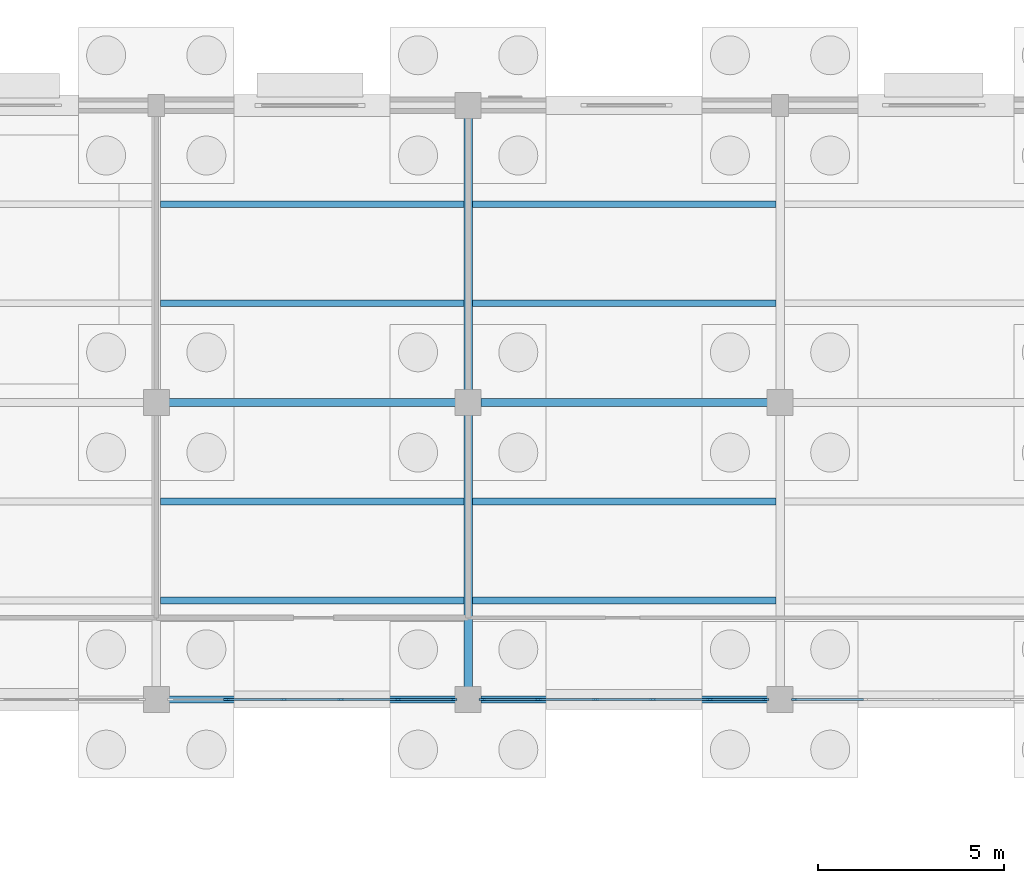
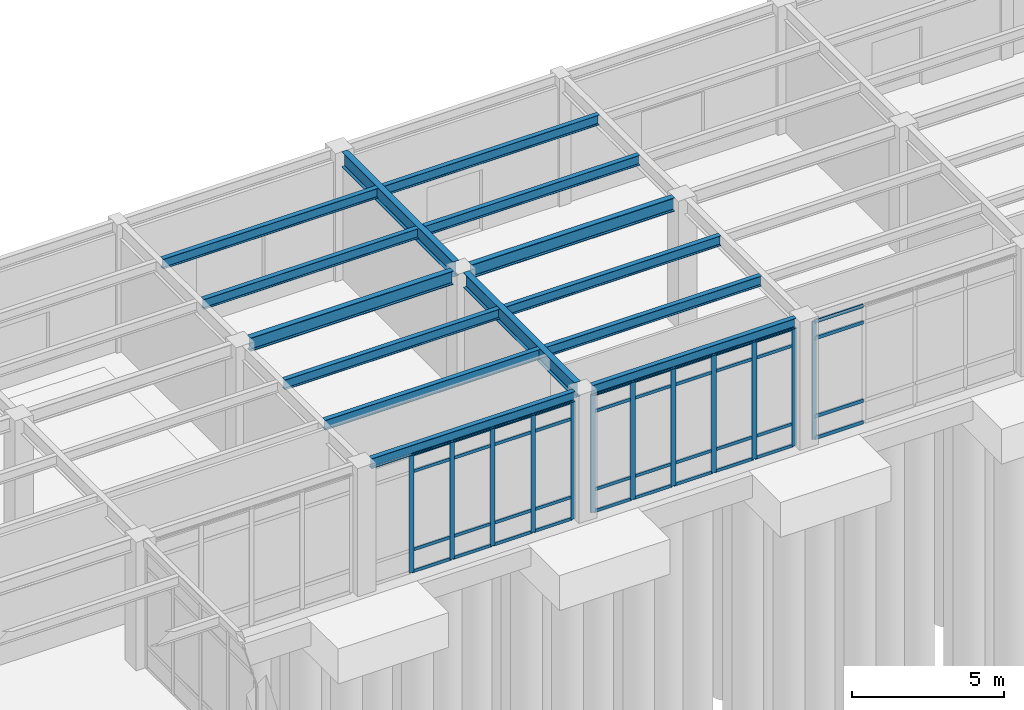
# One storey, part 61 of 138: 52 members, 14 beams, 3 elements without a shape of their own.
"""IFC4 building model written with IfcOpenShell, lengths in metres."""

from ifc_helpers import new_model, si_unit, direction, frame, origin, origin_2d, place, context, subcontext, project, spatial, rectangle, i_section, extrude, material, layer, layer_set, material_profile, profile_set, type_object, element, aggregate, save


model = new_model("IFC4")

# Units and contexts
model_context = context("Model", 3, precision=1e-05, world=origin(), true_north=direction((0.0, 1.0)))
body_context = subcontext(model_context, "Body", "Model", "MODEL_VIEW")
ifc_project = project(units=[si_unit("LENGTHUNIT", "METRE"), si_unit("AREAUNIT", "SQUARE_METRE"), si_unit("VOLUMEUNIT", "CUBIC_METRE"), si_unit("PLANEANGLEUNIT", "RADIAN"), si_unit("MASSUNIT", "GRAM", prefix="KILO")], contexts=[model_context])

# Site, building, storey
site_placement = place(None, origin())
site = spatial("IfcSite", under=ifc_project, at=site_placement, CompositionType="ELEMENT")
building_placement = place(site_placement, origin())
building = spatial("IfcBuilding", under=site, at=building_placement, Name="Kranzveld Transit Interchange", CompositionType="ELEMENT")
storey_placement = place(building_placement, origin())
storey = spatial("IfcBuildingStorey", under=building, at=storey_placement, Name="L00", CompositionType="ELEMENT", Elevation=0.0)

# Curtain wall, member
ifc_material_1 = material(Name="Bronze-anodised thermally broken aluminium", Category="aluminium")
ifc_layer_1 = layer(ifc_material_1, 0.159912109375)
ifc_layer_set_1 = layer_set([ifc_layer_1], Name="Bronze-anodised thermally broken aluminium")
curtain_wall_type_1 = type_object("IfcCurtainWallType", Name="Bus Boarding Glazed Screen CW-3", PredefinedType="USERDEFINED", material=ifc_layer_set_1)
curtain_wall_1_placement = place(storey_placement, origin())
curtain_wall_1 = element("IfcCurtainWall", 1, at=curtain_wall_1_placement, inside=storey, type_object=curtain_wall_type_1, Name="L00 Curtain Wall 18/N-19/N", ObjectType="CURTAIN WALL", PredefinedType="USERDEFINED")
ifc_material_2 = material(Name="Bronze-anodised thermally broken aluminium", Category="aluminium")
ifc_material_profile_1 = material_profile(ifc_material_2, rectangle(XDim=0.06005859375, YDim=0.14990234375, at=origin_2d()), Name="ALU MULLION 60x150")
ifc_profile_set_1 = profile_set([ifc_material_profile_1], Name="Bronze-anodised thermally broken aluminium")
member_type_1 = type_object("IfcMemberType", Name="Curtain Wall Mullion 60x150 Alu", PredefinedType="MULLION", material=ifc_profile_set_1)
member_1_placement = place(storey_placement, frame((143.179931640625, 96.0, 0.0), z_axis=(0.0, 0.0, 1.0), x_axis=(0.0, 1.0, 0.0)))
member_1 = element("IfcMember", 2, at=member_1_placement, type_object=member_type_1, Name="CW-3 mullion 1", PredefinedType="MULLION", context=body_context, shape_type="SweptSolid", body=[
    extrude(rectangle(XDim=0.06005859375, YDim=0.14990234375, at=origin_2d()), origin(), (0.0, 0.0, 1.0), 4.740478515625),
])

# Curtain wall, members
ifc_material_3 = material(Name="Bronze-anodised thermally broken aluminium", Category="aluminium")
ifc_layer_2 = layer(ifc_material_3, 0.155029296875)
ifc_layer_set_2 = layer_set([ifc_layer_2], Name="Bronze-anodised thermally broken aluminium")
curtain_wall_type_2 = type_object("IfcCurtainWallType", Name="Operations Courtyard Glazed Screen CW-6", PredefinedType="USERDEFINED", material=ifc_layer_set_2)
curtain_wall_2_placement = place(storey_placement, origin())
curtain_wall_2 = element("IfcCurtainWall", 3, at=curtain_wall_2_placement, inside=storey, type_object=curtain_wall_type_2, Name="L00 Curtain Wall 16/N-17/N", ObjectType="CURTAIN WALL", PredefinedType="USERDEFINED")
ifc_material_4 = material(Name="Bronze-anodised thermally broken aluminium", Category="aluminium")
ifc_material_profile_2 = material_profile(ifc_material_4, rectangle(XDim=0.06494140625, YDim=0.1650390625, at=origin_2d()), Name="ALU MULLION 65x165")
ifc_profile_set_2 = profile_set([ifc_material_profile_2], Name="Bronze-anodised thermally broken aluminium")
member_type_2 = type_object("IfcMemberType", Name="Curtain Wall Mullion 65x165 Alu", PredefinedType="MULLION", material=ifc_profile_set_2)
member_2_placement = place(storey_placement, frame((127.889892578125, 96.0, 0.0), z_axis=(0.0, 0.0, 1.0), x_axis=(0.0, 1.0, 0.0)))
member_2 = element("IfcMember", 4, at=member_2_placement, type_object=member_type_2, Name="CW-6 mullion 2", PredefinedType="MULLION", context=body_context, shape_type="SweptSolid", body=[
    extrude(rectangle(XDim=0.06494140625, YDim=0.1650390625, at=origin_2d()), origin(), (0.0, 0.0, 1.0), 4.740478515625),
])
member_3_placement = place(storey_placement, frame((129.429931640625, 96.0, 0.0), z_axis=(0.0, 0.0, 1.0), x_axis=(0.0, 1.0, 0.0)))
member_3 = element("IfcMember", 5, at=member_3_placement, type_object=member_type_2, Name="CW-6 mullion 3", PredefinedType="MULLION", context=body_context, shape_type="SweptSolid", body=[
    extrude(rectangle(XDim=0.06494140625, YDim=0.1650390625, at=origin_2d()), origin(), (0.0, 0.0, 1.0), 4.740478515625),
])
member_4_placement = place(storey_placement, frame((130.969970703125, 96.0, 0.0), z_axis=(0.0, 0.0, 1.0), x_axis=(0.0, 1.0, 0.0)))
member_4 = element("IfcMember", 6, at=member_4_placement, type_object=member_type_2, Name="CW-6 mullion 4", PredefinedType="MULLION", context=body_context, shape_type="SweptSolid", body=[
    extrude(rectangle(XDim=0.06494140625, YDim=0.1650390625, at=origin_2d()), origin(), (0.0, 0.0, 1.0), 4.740478515625),
])
member_5_placement = place(storey_placement, frame((132.510009765625, 96.0, 0.0), z_axis=(0.0, 0.0, 1.0), x_axis=(0.0, 1.0, 0.0)))
member_5 = element("IfcMember", 7, at=member_5_placement, type_object=member_type_2, Name="CW-6 mullion 5", PredefinedType="MULLION", context=body_context, shape_type="SweptSolid", body=[
    extrude(rectangle(XDim=0.06494140625, YDim=0.1650390625, at=origin_2d()), origin(), (0.0, 0.0, 1.0), 4.740478515625),
])
member_6_placement = place(storey_placement, frame((134.017578125, 96.0, 0.0), z_axis=(0.0, 0.0, 1.0), x_axis=(0.0, 1.0, 0.0)))
member_6 = element("IfcMember", 8, at=member_6_placement, type_object=member_type_2, Name="CW-6 mullion 6", PredefinedType="MULLION", context=body_context, shape_type="SweptSolid", body=[
    extrude(rectangle(XDim=0.06494140625, YDim=0.1650390625, at=origin_2d()), origin(), (0.0, 0.0, 1.0), 4.740478515625),
])

ifc_material_5 = material(Name="Bronze-anodised thermally broken aluminium", Category="aluminium")
ifc_layer_3 = layer(ifc_material_5, 0.1650390625)
ifc_layer_set_3 = layer_set([ifc_layer_3], Name="Bronze-anodised thermally broken aluminium")
curtain_wall_type_3 = type_object("IfcCurtainWallType", Name="Sunny Court Arcade Curtain Wall CW-2", PredefinedType="USERDEFINED", material=ifc_layer_set_3)
curtain_wall_3_placement = place(storey_placement, origin())
curtain_wall_3 = element("IfcCurtainWall", 9, at=curtain_wall_3_placement, inside=storey, type_object=curtain_wall_type_3, Name="L00 Curtain Wall 17/N-18/N", ObjectType="CURTAIN WALL", PredefinedType="USERDEFINED")
ifc_material_6 = material(Name="Bronze-anodised thermally broken aluminium", Category="aluminium")
ifc_material_profile_3 = material_profile(ifc_material_6, rectangle(XDim=0.06494140625, YDim=0.179931640625, at=origin_2d()), Name="ALU MULLION 65x180")
ifc_profile_set_3 = profile_set([ifc_material_profile_3], Name="Bronze-anodised thermally broken aluminium")
member_type_3 = type_object("IfcMemberType", Name="Curtain Wall Mullion 65x180 Alu", PredefinedType="MULLION", material=ifc_profile_set_3)
member_7_placement = place(storey_placement, frame((134.782470703125, 96.0, 0.0), z_axis=(0.0, 0.0, 1.0), x_axis=(0.0, 1.0, 0.0)))
member_7 = element("IfcMember", 10, at=member_7_placement, type_object=member_type_3, Name="CW-2 mullion 1", PredefinedType="MULLION", context=body_context, shape_type="SweptSolid", body=[
    extrude(rectangle(XDim=0.06494140625, YDim=0.179931640625, at=origin_2d()), origin(), (0.0, 0.0, 1.0), 4.740478515625),
])
member_8_placement = place(storey_placement, frame((136.2900390625, 96.0, 0.0), z_axis=(0.0, 0.0, 1.0), x_axis=(0.0, 1.0, 0.0)))
member_8 = element("IfcMember", 11, at=member_8_placement, type_object=member_type_3, Name="CW-2 mullion 2", PredefinedType="MULLION", context=body_context, shape_type="SweptSolid", body=[
    extrude(rectangle(XDim=0.06494140625, YDim=0.179931640625, at=origin_2d()), origin(), (0.0, 0.0, 1.0), 4.740478515625),
])
member_9_placement = place(storey_placement, frame((137.830078125, 96.0, 0.0), z_axis=(0.0, 0.0, 1.0), x_axis=(0.0, 1.0, 0.0)))
member_9 = element("IfcMember", 12, at=member_9_placement, type_object=member_type_3, Name="CW-2 mullion 3", PredefinedType="MULLION", context=body_context, shape_type="SweptSolid", body=[
    extrude(rectangle(XDim=0.06494140625, YDim=0.179931640625, at=origin_2d()), origin(), (0.0, 0.0, 1.0), 4.740478515625),
])
member_10_placement = place(storey_placement, frame((139.3701171875, 96.0, 0.0), z_axis=(0.0, 0.0, 1.0), x_axis=(0.0, 1.0, 0.0)))
member_10 = element("IfcMember", 13, at=member_10_placement, type_object=member_type_3, Name="CW-2 mullion 4", PredefinedType="MULLION", context=body_context, shape_type="SweptSolid", body=[
    extrude(rectangle(XDim=0.06494140625, YDim=0.179931640625, at=origin_2d()), origin(), (0.0, 0.0, 1.0), 4.740478515625),
])
member_11_placement = place(storey_placement, frame((140.909912109375, 96.0, 0.0), z_axis=(0.0, 0.0, 1.0), x_axis=(0.0, 1.0, 0.0)))
member_11 = element("IfcMember", 14, at=member_11_placement, type_object=member_type_3, Name="CW-2 mullion 5", PredefinedType="MULLION", context=body_context, shape_type="SweptSolid", body=[
    extrude(rectangle(XDim=0.06494140625, YDim=0.179931640625, at=origin_2d()), origin(), (0.0, 0.0, 1.0), 4.740478515625),
])
member_12_placement = place(storey_placement, frame((142.41748046875, 96.0, 0.0), z_axis=(0.0, 0.0, 1.0), x_axis=(0.0, 1.0, 0.0)))
member_12 = element("IfcMember", 15, at=member_12_placement, type_object=member_type_3, Name="CW-2 mullion 6", PredefinedType="MULLION", context=body_context, shape_type="SweptSolid", body=[
    extrude(rectangle(XDim=0.06494140625, YDim=0.179931640625, at=origin_2d()), origin(), (0.0, 0.0, 1.0), 4.740478515625),
])

# Member
ifc_material_7 = material(Name="Bronze-anodised thermally broken aluminium", Category="aluminium")
ifc_material_profile_4 = material_profile(ifc_material_7, rectangle(XDim=0.06005859375, YDim=0.125, at=origin_2d()), Name="ALU TRANSOM 60x125")
ifc_profile_set_4 = profile_set([ifc_material_profile_4], Name="Bronze-anodised thermally broken aluminium")
member_type_4 = type_object("IfcMemberType", Name="Curtain Wall Transom 60x125 Alu", PredefinedType="USERDEFINED", material=ifc_profile_set_4)
member_13_placement = place(storey_placement, frame((127.922607421875, 96.0, 0.030029296875), z_axis=(1.0, 0.0, 0.0), x_axis=(0.0, 1.0, 0.0)))
member_13 = element("IfcMember", 16, at=member_13_placement, type_object=member_type_4, Name="CW-6 transom 2.1", ObjectType="TRANSOM", PredefinedType="USERDEFINED", context=body_context, shape_type="SweptSolid", body=[
    extrude(rectangle(XDim=0.06005859375, YDim=0.125, at=origin_2d()), origin(), (0.0, 0.0, 1.0), 1.474853515625),
])

member_14_placement = place(storey_placement, frame((127.922607421875, 96.0, 0.89990234375), z_axis=(1.0, 0.0, 0.0), x_axis=(0.0, 1.0, 0.0)))
member_14 = element("IfcMember", 17, at=member_14_placement, type_object=member_type_4, Name="CW-6 transom 2.2", ObjectType="TRANSOM", PredefinedType="USERDEFINED", context=body_context, shape_type="SweptSolid", body=[
    extrude(rectangle(XDim=0.06005859375, YDim=0.125, at=origin_2d()), origin(), (0.0, 0.0, 1.0), 1.474853515625),
])

member_15_placement = place(storey_placement, frame((127.922607421875, 96.0, 4.04052734375), z_axis=(1.0, 0.0, 0.0), x_axis=(0.0, 1.0, 0.0)))
member_15 = element("IfcMember", 18, at=member_15_placement, type_object=member_type_4, Name="CW-6 transom 2.3", ObjectType="TRANSOM", PredefinedType="USERDEFINED", context=body_context, shape_type="SweptSolid", body=[
    extrude(rectangle(XDim=0.06005859375, YDim=0.125, at=origin_2d()), origin(), (0.0, 0.0, 1.0), 1.474853515625),
])

member_16_placement = place(storey_placement, frame((127.922607421875, 96.0, 4.710693359375), z_axis=(1.0, 0.0, 0.0), x_axis=(0.0, 1.0, 0.0)))
member_16 = element("IfcMember", 19, at=member_16_placement, type_object=member_type_4, Name="CW-6 transom 2.4", ObjectType="TRANSOM", PredefinedType="USERDEFINED", context=body_context, shape_type="SweptSolid", body=[
    extrude(rectangle(XDim=0.06005859375, YDim=0.125, at=origin_2d()), origin(), (0.0, 0.0, 1.0), 1.474853515625),
])

member_17_placement = place(storey_placement, frame((129.46240234375, 96.0, 0.030029296875), z_axis=(1.0, 0.0, 0.0), x_axis=(0.0, 1.0, 0.0)))
member_17 = element("IfcMember", 20, at=member_17_placement, type_object=member_type_4, Name="CW-6 transom 3.1", ObjectType="TRANSOM", PredefinedType="USERDEFINED", context=body_context, shape_type="SweptSolid", body=[
    extrude(rectangle(XDim=0.06005859375, YDim=0.125, at=origin_2d()), origin(), (0.0, 0.0, 1.0), 1.47509765625),
])

member_18_placement = place(storey_placement, frame((129.46240234375, 96.0, 0.89990234375), z_axis=(1.0, 0.0, 0.0), x_axis=(0.0, 1.0, 0.0)))
member_18 = element("IfcMember", 21, at=member_18_placement, type_object=member_type_4, Name="CW-6 transom 3.2", ObjectType="TRANSOM", PredefinedType="USERDEFINED", context=body_context, shape_type="SweptSolid", body=[
    extrude(rectangle(XDim=0.06005859375, YDim=0.125, at=origin_2d()), origin(), (0.0, 0.0, 1.0), 1.47509765625),
])

member_19_placement = place(storey_placement, frame((129.46240234375, 96.0, 4.04052734375), z_axis=(1.0, 0.0, 0.0), x_axis=(0.0, 1.0, 0.0)))
member_19 = element("IfcMember", 22, at=member_19_placement, type_object=member_type_4, Name="CW-6 transom 3.3", ObjectType="TRANSOM", PredefinedType="USERDEFINED", context=body_context, shape_type="SweptSolid", body=[
    extrude(rectangle(XDim=0.06005859375, YDim=0.125, at=origin_2d()), origin(), (0.0, 0.0, 1.0), 1.47509765625),
])

member_20_placement = place(storey_placement, frame((129.46240234375, 96.0, 4.710693359375), z_axis=(1.0, 0.0, 0.0), x_axis=(0.0, 1.0, 0.0)))
member_20 = element("IfcMember", 23, at=member_20_placement, type_object=member_type_4, Name="CW-6 transom 3.4", ObjectType="TRANSOM", PredefinedType="USERDEFINED", context=body_context, shape_type="SweptSolid", body=[
    extrude(rectangle(XDim=0.06005859375, YDim=0.125, at=origin_2d()), origin(), (0.0, 0.0, 1.0), 1.47509765625),
])

member_21_placement = place(storey_placement, frame((131.00244140625, 96.0, 0.030029296875), z_axis=(1.0, 0.0, 0.0), x_axis=(0.0, 1.0, 0.0)))
member_21 = element("IfcMember", 24, at=member_21_placement, type_object=member_type_4, Name="CW-6 transom 4.1", ObjectType="TRANSOM", PredefinedType="USERDEFINED", context=body_context, shape_type="SweptSolid", body=[
    extrude(rectangle(XDim=0.06005859375, YDim=0.125, at=origin_2d()), origin(), (0.0, 0.0, 1.0), 1.47509765625),
])

member_22_placement = place(storey_placement, frame((131.00244140625, 96.0, 0.89990234375), z_axis=(1.0, 0.0, 0.0), x_axis=(0.0, 1.0, 0.0)))
member_22 = element("IfcMember", 25, at=member_22_placement, type_object=member_type_4, Name="CW-6 transom 4.2", ObjectType="TRANSOM", PredefinedType="USERDEFINED", context=body_context, shape_type="SweptSolid", body=[
    extrude(rectangle(XDim=0.06005859375, YDim=0.125, at=origin_2d()), origin(), (0.0, 0.0, 1.0), 1.47509765625),
])

member_23_placement = place(storey_placement, frame((131.00244140625, 96.0, 4.04052734375), z_axis=(1.0, 0.0, 0.0), x_axis=(0.0, 1.0, 0.0)))
member_23 = element("IfcMember", 26, at=member_23_placement, type_object=member_type_4, Name="CW-6 transom 4.3", ObjectType="TRANSOM", PredefinedType="USERDEFINED", context=body_context, shape_type="SweptSolid", body=[
    extrude(rectangle(XDim=0.06005859375, YDim=0.125, at=origin_2d()), origin(), (0.0, 0.0, 1.0), 1.47509765625),
])

member_24_placement = place(storey_placement, frame((131.00244140625, 96.0, 4.710693359375), z_axis=(1.0, 0.0, 0.0), x_axis=(0.0, 1.0, 0.0)))
member_24 = element("IfcMember", 27, at=member_24_placement, type_object=member_type_4, Name="CW-6 transom 4.4", ObjectType="TRANSOM", PredefinedType="USERDEFINED", context=body_context, shape_type="SweptSolid", body=[
    extrude(rectangle(XDim=0.06005859375, YDim=0.125, at=origin_2d()), origin(), (0.0, 0.0, 1.0), 1.47509765625),
])

member_25_placement = place(storey_placement, frame((132.54248046875, 96.0, 0.030029296875), z_axis=(1.0, 0.0, 0.0), x_axis=(0.0, 1.0, 0.0)))
member_25 = element("IfcMember", 28, at=member_25_placement, type_object=member_type_4, Name="CW-6 transom 5.1", ObjectType="TRANSOM", PredefinedType="USERDEFINED", context=body_context, shape_type="SweptSolid", body=[
    extrude(rectangle(XDim=0.06005859375, YDim=0.125, at=origin_2d()), origin(), (0.0, 0.0, 1.0), 1.442626953125),
])

member_26_placement = place(storey_placement, frame((132.54248046875, 96.0, 0.89990234375), z_axis=(1.0, 0.0, 0.0), x_axis=(0.0, 1.0, 0.0)))
member_26 = element("IfcMember", 29, at=member_26_placement, type_object=member_type_4, Name="CW-6 transom 5.2", ObjectType="TRANSOM", PredefinedType="USERDEFINED", context=body_context, shape_type="SweptSolid", body=[
    extrude(rectangle(XDim=0.06005859375, YDim=0.125, at=origin_2d()), origin(), (0.0, 0.0, 1.0), 1.442626953125),
])

member_27_placement = place(storey_placement, frame((132.54248046875, 96.0, 4.04052734375), z_axis=(1.0, 0.0, 0.0), x_axis=(0.0, 1.0, 0.0)))
member_27 = element("IfcMember", 30, at=member_27_placement, type_object=member_type_4, Name="CW-6 transom 5.3", ObjectType="TRANSOM", PredefinedType="USERDEFINED", context=body_context, shape_type="SweptSolid", body=[
    extrude(rectangle(XDim=0.06005859375, YDim=0.125, at=origin_2d()), origin(), (0.0, 0.0, 1.0), 1.442626953125),
])

member_28_placement = place(storey_placement, frame((132.54248046875, 96.0, 4.710693359375), z_axis=(1.0, 0.0, 0.0), x_axis=(0.0, 1.0, 0.0)))
member_28 = element("IfcMember", 31, at=member_28_placement, type_object=member_type_4, Name="CW-6 transom 5.4", ObjectType="TRANSOM", PredefinedType="USERDEFINED", context=body_context, shape_type="SweptSolid", body=[
    extrude(rectangle(XDim=0.06005859375, YDim=0.125, at=origin_2d()), origin(), (0.0, 0.0, 1.0), 1.442626953125),
])

aggregate(curtain_wall_2, [member_2, member_3, member_4, member_5, member_6, member_13, member_14, member_15, member_16, member_17, member_18, member_19, member_20, member_21, member_22, member_23, member_24, member_25, member_26, member_27, member_28])

member_29_placement = place(storey_placement, frame((134.81494140625, 96.0, 0.030029296875), z_axis=(1.0, 0.0, 0.0), x_axis=(0.0, 1.0, 0.0)))
member_29 = element("IfcMember", 32, at=member_29_placement, type_object=member_type_4, Name="CW-2 transom 1.1", ObjectType="TRANSOM", PredefinedType="USERDEFINED", context=body_context, shape_type="SweptSolid", body=[
    extrude(rectangle(XDim=0.06005859375, YDim=0.125, at=origin_2d()), origin(), (0.0, 0.0, 1.0), 1.442626953125),
])

member_30_placement = place(storey_placement, frame((134.81494140625, 96.0, 0.89990234375), z_axis=(1.0, 0.0, 0.0), x_axis=(0.0, 1.0, 0.0)))
member_30 = element("IfcMember", 33, at=member_30_placement, type_object=member_type_4, Name="CW-2 transom 1.2", ObjectType="TRANSOM", PredefinedType="USERDEFINED", context=body_context, shape_type="SweptSolid", body=[
    extrude(rectangle(XDim=0.06005859375, YDim=0.125, at=origin_2d()), origin(), (0.0, 0.0, 1.0), 1.442626953125),
])

member_31_placement = place(storey_placement, frame((134.81494140625, 96.0, 4.04052734375), z_axis=(1.0, 0.0, 0.0), x_axis=(0.0, 1.0, 0.0)))
member_31 = element("IfcMember", 34, at=member_31_placement, type_object=member_type_4, Name="CW-2 transom 1.3", ObjectType="TRANSOM", PredefinedType="USERDEFINED", context=body_context, shape_type="SweptSolid", body=[
    extrude(rectangle(XDim=0.06005859375, YDim=0.125, at=origin_2d()), origin(), (0.0, 0.0, 1.0), 1.442626953125),
])

member_32_placement = place(storey_placement, frame((134.81494140625, 96.0, 4.710693359375), z_axis=(1.0, 0.0, 0.0), x_axis=(0.0, 1.0, 0.0)))
member_32 = element("IfcMember", 35, at=member_32_placement, type_object=member_type_4, Name="CW-2 transom 1.4", ObjectType="TRANSOM", PredefinedType="USERDEFINED", context=body_context, shape_type="SweptSolid", body=[
    extrude(rectangle(XDim=0.06005859375, YDim=0.125, at=origin_2d()), origin(), (0.0, 0.0, 1.0), 1.442626953125),
])

member_33_placement = place(storey_placement, frame((136.322509765625, 96.0, 0.030029296875), z_axis=(1.0, 0.0, 0.0), x_axis=(0.0, 1.0, 0.0)))
member_33 = element("IfcMember", 36, at=member_33_placement, type_object=member_type_4, Name="CW-2 transom 2.1", ObjectType="TRANSOM", PredefinedType="USERDEFINED", context=body_context, shape_type="SweptSolid", body=[
    extrude(rectangle(XDim=0.06005859375, YDim=0.125, at=origin_2d()), origin(), (0.0, 0.0, 1.0), 1.47509765625),
])

member_34_placement = place(storey_placement, frame((136.322509765625, 96.0, 0.89990234375), z_axis=(1.0, 0.0, 0.0), x_axis=(0.0, 1.0, 0.0)))
member_34 = element("IfcMember", 37, at=member_34_placement, type_object=member_type_4, Name="CW-2 transom 2.2", ObjectType="TRANSOM", PredefinedType="USERDEFINED", context=body_context, shape_type="SweptSolid", body=[
    extrude(rectangle(XDim=0.06005859375, YDim=0.125, at=origin_2d()), origin(), (0.0, 0.0, 1.0), 1.47509765625),
])

member_35_placement = place(storey_placement, frame((136.322509765625, 96.0, 4.04052734375), z_axis=(1.0, 0.0, 0.0), x_axis=(0.0, 1.0, 0.0)))
member_35 = element("IfcMember", 38, at=member_35_placement, type_object=member_type_4, Name="CW-2 transom 2.3", ObjectType="TRANSOM", PredefinedType="USERDEFINED", context=body_context, shape_type="SweptSolid", body=[
    extrude(rectangle(XDim=0.06005859375, YDim=0.125, at=origin_2d()), origin(), (0.0, 0.0, 1.0), 1.47509765625),
])

member_36_placement = place(storey_placement, frame((136.322509765625, 96.0, 4.710693359375), z_axis=(1.0, 0.0, 0.0), x_axis=(0.0, 1.0, 0.0)))
member_36 = element("IfcMember", 39, at=member_36_placement, type_object=member_type_4, Name="CW-2 transom 2.4", ObjectType="TRANSOM", PredefinedType="USERDEFINED", context=body_context, shape_type="SweptSolid", body=[
    extrude(rectangle(XDim=0.06005859375, YDim=0.125, at=origin_2d()), origin(), (0.0, 0.0, 1.0), 1.47509765625),
])

member_37_placement = place(storey_placement, frame((137.862548828125, 96.0, 0.030029296875), z_axis=(1.0, 0.0, 0.0), x_axis=(0.0, 1.0, 0.0)))
member_37 = element("IfcMember", 40, at=member_37_placement, type_object=member_type_4, Name="CW-2 transom 3.1", ObjectType="TRANSOM", PredefinedType="USERDEFINED", context=body_context, shape_type="SweptSolid", body=[
    extrude(rectangle(XDim=0.06005859375, YDim=0.125, at=origin_2d()), origin(), (0.0, 0.0, 1.0), 1.474853515625),
])

member_38_placement = place(storey_placement, frame((137.862548828125, 96.0, 0.89990234375), z_axis=(1.0, 0.0, 0.0), x_axis=(0.0, 1.0, 0.0)))
member_38 = element("IfcMember", 41, at=member_38_placement, type_object=member_type_4, Name="CW-2 transom 3.2", ObjectType="TRANSOM", PredefinedType="USERDEFINED", context=body_context, shape_type="SweptSolid", body=[
    extrude(rectangle(XDim=0.06005859375, YDim=0.125, at=origin_2d()), origin(), (0.0, 0.0, 1.0), 1.474853515625),
])

member_39_placement = place(storey_placement, frame((137.862548828125, 96.0, 4.04052734375), z_axis=(1.0, 0.0, 0.0), x_axis=(0.0, 1.0, 0.0)))
member_39 = element("IfcMember", 42, at=member_39_placement, type_object=member_type_4, Name="CW-2 transom 3.3", ObjectType="TRANSOM", PredefinedType="USERDEFINED", context=body_context, shape_type="SweptSolid", body=[
    extrude(rectangle(XDim=0.06005859375, YDim=0.125, at=origin_2d()), origin(), (0.0, 0.0, 1.0), 1.474853515625),
])

member_40_placement = place(storey_placement, frame((137.862548828125, 96.0, 4.710693359375), z_axis=(1.0, 0.0, 0.0), x_axis=(0.0, 1.0, 0.0)))
member_40 = element("IfcMember", 43, at=member_40_placement, type_object=member_type_4, Name="CW-2 transom 3.4", ObjectType="TRANSOM", PredefinedType="USERDEFINED", context=body_context, shape_type="SweptSolid", body=[
    extrude(rectangle(XDim=0.06005859375, YDim=0.125, at=origin_2d()), origin(), (0.0, 0.0, 1.0), 1.474853515625),
])

member_41_placement = place(storey_placement, frame((139.402587890625, 96.0, 0.030029296875), z_axis=(1.0, 0.0, 0.0), x_axis=(0.0, 1.0, 0.0)))
member_41 = element("IfcMember", 44, at=member_41_placement, type_object=member_type_4, Name="CW-2 transom 4.1", ObjectType="TRANSOM", PredefinedType="USERDEFINED", context=body_context, shape_type="SweptSolid", body=[
    extrude(rectangle(XDim=0.06005859375, YDim=0.125, at=origin_2d()), origin(), (0.0, 0.0, 1.0), 1.474853515625),
])

member_42_placement = place(storey_placement, frame((139.402587890625, 96.0, 0.89990234375), z_axis=(1.0, 0.0, 0.0), x_axis=(0.0, 1.0, 0.0)))
member_42 = element("IfcMember", 45, at=member_42_placement, type_object=member_type_4, Name="CW-2 transom 4.2", ObjectType="TRANSOM", PredefinedType="USERDEFINED", context=body_context, shape_type="SweptSolid", body=[
    extrude(rectangle(XDim=0.06005859375, YDim=0.125, at=origin_2d()), origin(), (0.0, 0.0, 1.0), 1.474853515625),
])

member_43_placement = place(storey_placement, frame((139.402587890625, 96.0, 4.04052734375), z_axis=(1.0, 0.0, 0.0), x_axis=(0.0, 1.0, 0.0)))
member_43 = element("IfcMember", 46, at=member_43_placement, type_object=member_type_4, Name="CW-2 transom 4.3", ObjectType="TRANSOM", PredefinedType="USERDEFINED", context=body_context, shape_type="SweptSolid", body=[
    extrude(rectangle(XDim=0.06005859375, YDim=0.125, at=origin_2d()), origin(), (0.0, 0.0, 1.0), 1.474853515625),
])

member_44_placement = place(storey_placement, frame((139.402587890625, 96.0, 4.710693359375), z_axis=(1.0, 0.0, 0.0), x_axis=(0.0, 1.0, 0.0)))
member_44 = element("IfcMember", 47, at=member_44_placement, type_object=member_type_4, Name="CW-2 transom 4.4", ObjectType="TRANSOM", PredefinedType="USERDEFINED", context=body_context, shape_type="SweptSolid", body=[
    extrude(rectangle(XDim=0.06005859375, YDim=0.125, at=origin_2d()), origin(), (0.0, 0.0, 1.0), 1.474853515625),
])

member_45_placement = place(storey_placement, frame((140.9423828125, 96.0, 0.030029296875), z_axis=(1.0, 0.0, 0.0), x_axis=(0.0, 1.0, 0.0)))
member_45 = element("IfcMember", 48, at=member_45_placement, type_object=member_type_4, Name="CW-2 transom 5.1", ObjectType="TRANSOM", PredefinedType="USERDEFINED", context=body_context, shape_type="SweptSolid", body=[
    extrude(rectangle(XDim=0.06005859375, YDim=0.125, at=origin_2d()), origin(), (0.0, 0.0, 1.0), 1.442626953125),
])

member_46_placement = place(storey_placement, frame((140.9423828125, 96.0, 0.89990234375), z_axis=(1.0, 0.0, 0.0), x_axis=(0.0, 1.0, 0.0)))
member_46 = element("IfcMember", 49, at=member_46_placement, type_object=member_type_4, Name="CW-2 transom 5.2", ObjectType="TRANSOM", PredefinedType="USERDEFINED", context=body_context, shape_type="SweptSolid", body=[
    extrude(rectangle(XDim=0.06005859375, YDim=0.125, at=origin_2d()), origin(), (0.0, 0.0, 1.0), 1.442626953125),
])

member_47_placement = place(storey_placement, frame((140.9423828125, 96.0, 4.04052734375), z_axis=(1.0, 0.0, 0.0), x_axis=(0.0, 1.0, 0.0)))
member_47 = element("IfcMember", 50, at=member_47_placement, type_object=member_type_4, Name="CW-2 transom 5.3", ObjectType="TRANSOM", PredefinedType="USERDEFINED", context=body_context, shape_type="SweptSolid", body=[
    extrude(rectangle(XDim=0.06005859375, YDim=0.125, at=origin_2d()), origin(), (0.0, 0.0, 1.0), 1.442626953125),
])

member_48_placement = place(storey_placement, frame((140.9423828125, 96.0, 4.710693359375), z_axis=(1.0, 0.0, 0.0), x_axis=(0.0, 1.0, 0.0)))
member_48 = element("IfcMember", 51, at=member_48_placement, type_object=member_type_4, Name="CW-2 transom 5.4", ObjectType="TRANSOM", PredefinedType="USERDEFINED", context=body_context, shape_type="SweptSolid", body=[
    extrude(rectangle(XDim=0.06005859375, YDim=0.125, at=origin_2d()), origin(), (0.0, 0.0, 1.0), 1.442626953125),
])

aggregate(curtain_wall_3, [member_7, member_8, member_9, member_10, member_11, member_12, member_29, member_30, member_31, member_32, member_33, member_34, member_35, member_36, member_37, member_38, member_39, member_40, member_41, member_42, member_43, member_44, member_45, member_46, member_47, member_48])

ifc_material_8 = material(Name="Bronze-anodised thermally broken aluminium", Category="aluminium")
ifc_material_profile_5 = material_profile(ifc_material_8, rectangle(XDim=0.06494140625, YDim=0.139892578125, at=origin_2d()), Name="ALU TRANSOM 65x140")
ifc_profile_set_5 = profile_set([ifc_material_profile_5], Name="Bronze-anodised thermally broken aluminium")
member_type_5 = type_object("IfcMemberType", Name="Curtain Wall Transom 65x140 Alu", PredefinedType="USERDEFINED", material=ifc_profile_set_5)
member_49_placement = place(storey_placement, frame((143.2099609375, 96.0, 0.032470703125), z_axis=(1.0, 0.0, 0.0), x_axis=(0.0, 1.0, 0.0)))
member_49 = element("IfcMember", 52, at=member_49_placement, type_object=member_type_5, Name="CW-3 transom 1.1", ObjectType="TRANSOM", PredefinedType="USERDEFINED", context=body_context, shape_type="SweptSolid", body=[
    extrude(rectangle(XDim=0.06494140625, YDim=0.139892578125, at=origin_2d()), origin(), (0.0, 0.0, 1.0), 1.8349609375),
])

member_50_placement = place(storey_placement, frame((143.2099609375, 96.0, 0.89990234375), z_axis=(1.0, 0.0, 0.0), x_axis=(0.0, 1.0, 0.0)))
member_50 = element("IfcMember", 53, at=member_50_placement, type_object=member_type_5, Name="CW-3 transom 1.2", ObjectType="TRANSOM", PredefinedType="USERDEFINED", context=body_context, shape_type="SweptSolid", body=[
    extrude(rectangle(XDim=0.06494140625, YDim=0.139892578125, at=origin_2d()), origin(), (0.0, 0.0, 1.0), 1.8349609375),
])

member_51_placement = place(storey_placement, frame((143.2099609375, 96.0, 4.04052734375), z_axis=(1.0, 0.0, 0.0), x_axis=(0.0, 1.0, 0.0)))
member_51 = element("IfcMember", 54, at=member_51_placement, type_object=member_type_5, Name="CW-3 transom 1.3", ObjectType="TRANSOM", PredefinedType="USERDEFINED", context=body_context, shape_type="SweptSolid", body=[
    extrude(rectangle(XDim=0.06494140625, YDim=0.139892578125, at=origin_2d()), origin(), (0.0, 0.0, 1.0), 1.8349609375),
])

member_52_placement = place(storey_placement, frame((143.2099609375, 96.0, 4.7080078125), z_axis=(1.0, 0.0, 0.0), x_axis=(0.0, 1.0, 0.0)))
member_52 = element("IfcMember", 55, at=member_52_placement, type_object=member_type_5, Name="CW-3 transom 1.4", ObjectType="TRANSOM", PredefinedType="USERDEFINED", context=body_context, shape_type="SweptSolid", body=[
    extrude(rectangle(XDim=0.06494140625, YDim=0.139892578125, at=origin_2d()), origin(), (0.0, 0.0, 1.0), 1.8349609375),
])

aggregate(curtain_wall_1, [member_1, member_49, member_50, member_51, member_52])

# Beams
ifc_material_9 = material(Name="Steel S355JR", Category="steel")
ifc_material_profile_6 = material_profile(ifc_material_9, i_section(OverallWidth=0.1787109375, OverallDepth=0.409423828125, WebThickness=0.0087890625, FlangeThickness=0.014404296875, FilletRadius=0.01025390625, at=origin_2d()), Name="UB 406x178x67")
ifc_profile_set_6 = profile_set([ifc_material_profile_6], Name="Steel S355JR")
beam_type_1 = type_object("IfcBeamType", Name="Facade Spandrel UB 406x178x67 S355JR", PredefinedType="SPANDREL", material=ifc_profile_set_6)
for number, where, z_axis, x_axis, name in (
    (56, (126.340087890625, 96.0, 4.9453125), (1.0, 0.0, 0.0), (0.0, 1.0, 0.0), "L00 Girder 16-17/N"),
    (57, (134.739990234375, 96.0, 4.9453125), (1.0, 0.0, 0.0), (0.0, 1.0, 0.0), "L00 Girder 17-18/N"),
):
    element("IfcBeam", number, at=place(storey_placement, frame(where, z_axis=z_axis, x_axis=x_axis)), inside=storey, type_object=beam_type_1, Name=name, PredefinedType="SPANDREL", context=body_context, shape_type="SweptSolid", body=[
        extrude(i_section(OverallWidth=0.1787109375, OverallDepth=0.409423828125, WebThickness=0.0087890625, FlangeThickness=0.014404296875, FilletRadius=0.01025390625, at=origin_2d()), origin(), (0.0, 0.0, 1.0), 7.719970703125),
    ])
ifc_material_10 = material(Name="Steel S355JR", Category="steel")
ifc_material_profile_7 = material_profile(ifc_material_10, i_section(OverallWidth=0.177734375, OverallDepth=0.402587890625, WebThickness=0.0078125, FlangeThickness=0.010986328125, FilletRadius=0.01025390625, at=origin_2d()), Name="UB 406x178x54")
ifc_profile_set_7 = profile_set([ifc_material_profile_7], Name="Steel S355JR")
beam_type_2 = type_object("IfcBeamType", Name="Floor Joist UB 406x178x54 S355JR", PredefinedType="JOIST", material=ifc_profile_set_7)
for number, where, z_axis, x_axis, name in (
    (58, (126.1162109375, 98.666748046875, 4.94873046875), (1.0, 0.0, 0.0), (0.0, 1.0, 0.0), "L00 Secondary Joist 16-17/N.1"),
    (59, (126.1162109375, 101.333251953125, 4.94873046875), (1.0, 0.0, 0.0), (0.0, 1.0, 0.0), "L00 Secondary Joist 16-17/N.2"),
    (60, (126.1162109375, 106.666748046875, 4.94873046875), (1.0, 0.0, 0.0), (0.0, 1.0, 0.0), "L00 Secondary Joist 16-17/P.1"),
    (61, (126.1162109375, 109.333251953125, 4.94873046875), (1.0, 0.0, 0.0), (0.0, 1.0, 0.0), "L00 Secondary Joist 16-17/P.2"),
    (62, (134.51611328125, 98.666748046875, 4.94873046875), (1.0, 0.0, 0.0), (0.0, 1.0, 0.0), "L00 Secondary Joist 17-18/N.1"),
    (63, (134.51611328125, 101.333251953125, 4.94873046875), (1.0, 0.0, 0.0), (0.0, 1.0, 0.0), "L00 Secondary Joist 17-18/N.2"),
    (64, (134.51611328125, 106.666748046875, 4.94873046875), (1.0, 0.0, 0.0), (0.0, 1.0, 0.0), "L00 Secondary Joist 17-18/P.1"),
    (65, (134.51611328125, 109.333251953125, 4.94873046875), (1.0, 0.0, 0.0), (0.0, 1.0, 0.0), "L00 Secondary Joist 17-18/P.2"),
):
    element("IfcBeam", number, at=place(storey_placement, frame(where, z_axis=z_axis, x_axis=x_axis)), inside=storey, type_object=beam_type_2, Name=name, PredefinedType="JOIST", context=body_context, shape_type="SweptSolid", body=[
        extrude(i_section(OverallWidth=0.177734375, OverallDepth=0.402587890625, WebThickness=0.0078125, FlangeThickness=0.010986328125, FilletRadius=0.01025390625, at=origin_2d()), origin(), (0.0, 0.0, 1.0), 8.167724609375),
    ])
ifc_material_11 = material(Name="Steel S355JR", Category="steel")
ifc_material_profile_8 = material_profile(ifc_material_11, i_section(OverallWidth=0.2119140625, OverallDepth=0.54443359375, WebThickness=0.0126953125, FlangeThickness=0.021240234375, FilletRadius=0.0126953125, at=origin_2d()), Name="UB 533x210x122")
ifc_profile_set_8 = profile_set([ifc_material_profile_8], Name="Steel S355JR")
beam_type_3 = type_object("IfcBeamType", Name="Girder Steel UB 533x210x122 S355JR", PredefinedType="BEAM", material=ifc_profile_set_8)
for number, where, z_axis, x_axis, name in (
    (66, (126.340087890625, 104.0, 4.877685546875), (1.0, 0.0, 0.0), (0.0, 1.0, 0.0), "L00 Girder 16-17/P"),
    (67, (134.739990234375, 104.0, 4.877685546875), (1.0, 0.0, 0.0), (0.0, 1.0, 0.0), "L00 Girder 17-18/P"),
):
    element("IfcBeam", number, at=place(storey_placement, frame(where, z_axis=z_axis, x_axis=x_axis)), inside=storey, type_object=beam_type_3, Name=name, PredefinedType="BEAM", context=body_context, shape_type="SweptSolid", body=[
        extrude(i_section(OverallWidth=0.2119140625, OverallDepth=0.54443359375, WebThickness=0.0126953125, FlangeThickness=0.021240234375, FilletRadius=0.0126953125, at=origin_2d()), origin(), (0.0, 0.0, 1.0), 7.719970703125),
    ])
ifc_material_12 = material(Name="Steel S355JR", Category="steel")
ifc_material_profile_9 = material_profile(ifc_material_12, i_section(OverallWidth=0.228271484375, OverallDepth=0.607666015625, WebThickness=0.010986328125, FlangeThickness=0.017333984375, FilletRadius=0.0126953125, at=origin_2d()), Name="UB 610x229x113")
ifc_profile_set_9 = profile_set([ifc_material_profile_9], Name="Steel S355JR")
beam_type_4 = type_object("IfcBeamType", Name="Girder Steel UB 610x229x113 S355JR", PredefinedType="BEAM", material=ifc_profile_set_9)
for number, where, z_axis, x_axis, name in (
    (68, (134.39990234375, 96.340087890625, 4.84619140625), (0.0, 1.0, 0.0), (-1.0, 0.0, 0.0), "L00 Girder 17/N-P"),
    (69, (134.39990234375, 104.340087890625, 4.84619140625), (0.0, 1.0, 0.0), (-1.0, 0.0, 0.0), "L00 Girder 17/P-Q"),
):
    element("IfcBeam", number, at=place(storey_placement, frame(where, z_axis=z_axis, x_axis=x_axis)), inside=storey, type_object=beam_type_4, Name=name, PredefinedType="BEAM", context=body_context, shape_type="SweptSolid", body=[
        extrude(i_section(OverallWidth=0.228271484375, OverallDepth=0.607666015625, WebThickness=0.010986328125, FlangeThickness=0.017333984375, FilletRadius=0.0126953125, at=origin_2d()), origin(), (0.0, 0.0, 1.0), 7.31982421875),
    ])

save(model, "model.ifc")
